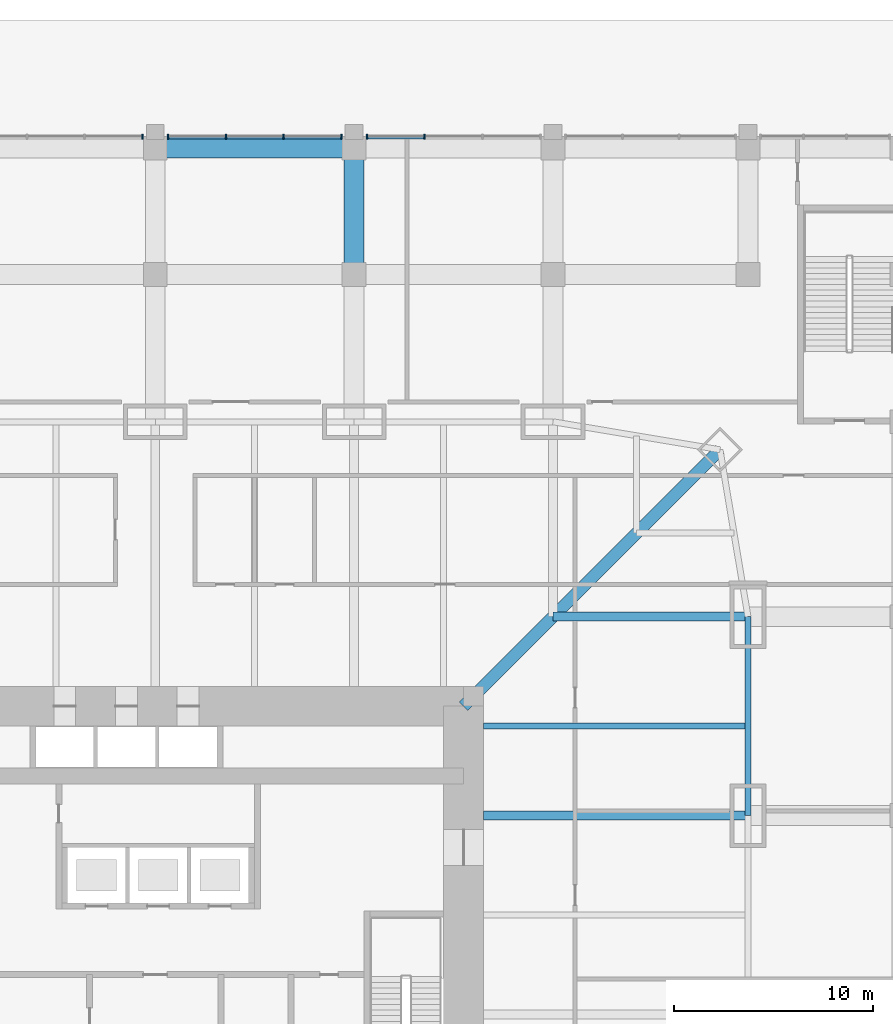
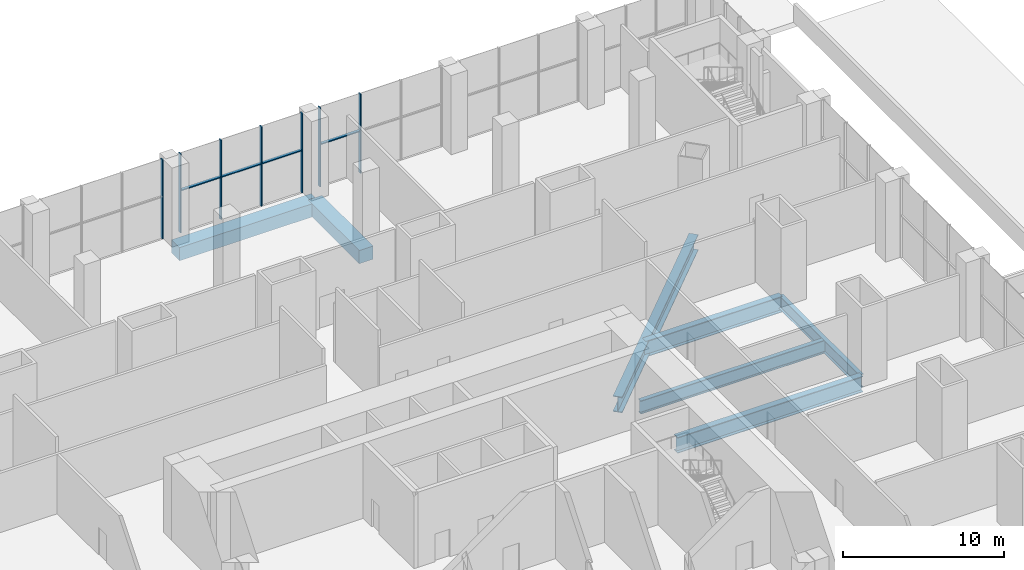
# One storey, part 14 of 31: 11 members, 7 beams, 3 elements without a shape of their own.
"""IFC4 building model written with IfcOpenShell, lengths in metres."""

import ifcopenshell
import ifcopenshell.guid

model = None  # the IFC model being written
_history = None  # IfcOwnerHistory: only IFC2X3 demands one
_inside = {}  # id of a spatial element -> (the spatial element, [elements in it])
_under = {}  # id of a project, library or spatial element -> (it, [spatial elements below it])
_declared = {}  # id of a project -> (the project, [libraries it declares])
_typed = {}  # id of a type object -> (the type object, [elements of that type])
_made_of = {}  # id of a material, layer set ... -> (it, [elements and type objects made of it])


def new_model(schema):
    """Start an empty IFC model of exactly this schema.

    Asked for "IFC4X3", IfcOpenShell would pick the latest addendum, in which some entities
    have other attributes; the version numbers below select the first issue.
    IFC2X3 requires an IfcOwnerHistory on every rooted entity: one is made here for all.
    """
    global model, _history
    if schema == "IFC4X3":
        model = ifcopenshell.file(schema_version=(4, 3, 0, 0))
    else:
        model = ifcopenshell.file(schema=schema)
    _inside.clear()
    _under.clear()
    _declared.clear()
    _typed.clear()
    _made_of.clear()
    _history = None
    if model.schema == "IFC2X3":
        org = make("IfcOrganization", Name="unknown")
        user = make(
            "IfcPersonAndOrganization",
            ThePerson=make("IfcPerson", FamilyName="unknown"),
            TheOrganization=org,
        )
        app = make(
            "IfcApplication",
            ApplicationDeveloper=org,
            Version="unknown",
            ApplicationFullName="unknown",
            ApplicationIdentifier="unknown",
        )
        _history = make(
            "IfcOwnerHistory",
            OwningUser=user,
            OwningApplication=app,
            ChangeAction="ADDED",
            CreationDate=0,
        )
    return model


def make(cls, **values):
    """One entity of the class cls with the attributes given. An attribute that is None is left unset."""
    return model.create_entity(
        cls, **{name: value for name, value in values.items() if value is not None}
    )


def rooted(cls, **values):
    """An entity with a GlobalId (a new one), such as an element, a storey or a relation."""
    return make(cls, GlobalId=ifcopenshell.guid.new(), OwnerHistory=_history, **values)


def si_unit(unit_type, name, prefix=None):
    """IfcSIUnit, for example si_unit("LENGTHUNIT", "METRE", prefix="MILLI")."""
    return make("IfcSIUnit", UnitType=unit_type, Prefix=prefix, Name=name)


def assignment(units):
    """IfcUnitAssignment: the units of a project."""
    return None if units is None else make("IfcUnitAssignment", Units=units)


def point(xyz):
    """IfcCartesianPoint."""
    return None if xyz is None else make("IfcCartesianPoint", Coordinates=xyz)


def direction(xyz):
    """IfcDirection."""
    return None if xyz is None else make("IfcDirection", DirectionRatios=xyz)


def frame(location, z_axis=None, x_axis=None):
    """IfcAxis2Placement3D, a coordinate frame: its origin and axes. An axis left out is left unset."""
    return make(
        "IfcAxis2Placement3D",
        Location=point(location),
        Axis=direction(z_axis),
        RefDirection=direction(x_axis),
    )


def frame_2d(location, x_axis=None):
    """IfcAxis2Placement2D, a coordinate frame in the plane: its origin and x axis."""
    return make(
        "IfcAxis2Placement2D", Location=point(location), RefDirection=direction(x_axis)
    )


def origin():
    """The frame at (0, 0, 0) with its axes left unset."""
    return frame((0.0, 0.0, 0.0))


def origin_2d():
    """The frame at (0, 0) in the plane with its x axis left unset."""
    return frame_2d((0.0, 0.0))


def place(relative_to, where):
    """IfcLocalPlacement: puts the frame where relative to a parent placement (None: the world)."""
    return make(
        "IfcLocalPlacement", PlacementRelTo=relative_to, RelativePlacement=where
    )


def context(
    kind, dimensions, precision=None, world=None, true_north=None, identifier=None
):
    """IfcGeometricRepresentationContext, for example the 3D "Model" context."""
    return make(
        "IfcGeometricRepresentationContext",
        ContextIdentifier=identifier,
        ContextType=kind,
        CoordinateSpaceDimension=dimensions,
        Precision=precision,
        WorldCoordinateSystem=world,
        TrueNorth=true_north,
    )


def subcontext(parent, identifier, kind, view, scale=None):
    """IfcGeometricRepresentationSubContext, for example "Body" below "Model"."""
    return make(
        "IfcGeometricRepresentationSubContext",
        ContextIdentifier=identifier,
        ContextType=kind,
        ParentContext=parent,
        TargetScale=scale,
        TargetView=view,
    )


def project(units=None, contexts=None):
    """IfcProject with its units and contexts."""
    return rooted(
        "IfcProject",
        Name="project",
        RepresentationContexts=contexts,
        UnitsInContext=assignment(units),
    )


def spatial(cls, under=None, at=None, **own):
    """A site, building, storey or space (cls), placed at a placement, below another one or the project."""
    s = rooted(cls, ObjectPlacement=at, **own)
    if under is not None:
        _under.setdefault(under.id(), (under, []))[1].append(s)
    return s


def profile(cls, at=None, kind="AREA", **sizes):
    """A parametric profile (cls). Its sizes go by their IFC names, for example OverallWidth=200.0."""
    return make(cls, ProfileType=kind, Position=at, **sizes)


def rectangle(**sizes):
    """IfcRectangleProfileDef."""
    return profile("IfcRectangleProfileDef", **sizes)


def i_section(**sizes):
    """IfcIShapeProfileDef."""
    return profile("IfcIShapeProfileDef", **sizes)


def extrude(swept, where, along, depth):
    """IfcExtrudedAreaSolid: the profile swept, set in the frame where, extruded along a direction by depth."""
    return make(
        "IfcExtrudedAreaSolid",
        SweptArea=swept,
        Position=where,
        ExtrudedDirection=direction(along),
        Depth=depth,
    )


def shape(context_of_items, identifier, shape_type, items):
    """IfcShapeRepresentation: the items that make up one representation, for example the "Body"."""
    return make(
        "IfcShapeRepresentation",
        ContextOfItems=context_of_items,
        RepresentationIdentifier=identifier,
        RepresentationType=shape_type,
        Items=items,
    )


def material(Name=None, Category=None):
    """IfcMaterial."""
    return make("IfcMaterial", Name=Name, Category=Category)


def material_profile(
    of_material, cross_section, Name=None, Category=None, Priority=None
):
    """IfcMaterialProfile: a cross section and its material."""
    return make(
        "IfcMaterialProfile",
        Name=Name,
        Material=of_material,
        Profile=cross_section,
        Priority=Priority,
        Category=Category,
    )


def profile_set(profiles, Name=None, composite=None):
    """IfcMaterialProfileSet."""
    return make(
        "IfcMaterialProfileSet",
        Name=Name,
        MaterialProfiles=profiles,
        CompositeProfile=composite,
    )


def made_of(thing, what):
    """Note that an element or type object is made of a material, layer set ...; save() writes the relation."""
    if what is not None:
        _made_of.setdefault(what.id(), (what, []))[1].append(thing)
    return thing


def type_object(cls, material=None, **own):
    """A type object (cls), such as IfcWallType, which elements share."""
    return made_of(rooted(cls, **own), material)


def element(
    cls,
    number,
    at=None,
    inside=None,
    cuts=None,
    type_object=None,
    material=None,
    context=None,
    identifier="Body",
    shape_type=None,
    held_by="IfcProductDefinitionShape",
    body=None,
    shapes=None,
    **own,
):
    """One element of the class cls, such as IfcWall. Its Tag is "e" and its number.

    at: its placement. inside: the storey or other place that contains it. cuts: it is an
    opening in that element (IfcRelVoidsElement). A single representation is given by context,
    identifier, shape_type and body (its items); several are given by shapes. held_by: the class
    of the entity that holds the representations. save() writes the other relations.
    """
    e = rooted(cls, Tag="e%d" % number, ObjectPlacement=at, **own)
    if body is not None:
        shapes = [shape(context, identifier, shape_type, body)]
    if shapes is not None:
        e.Representation = make(held_by, Representations=shapes)
    if inside is not None:
        _inside.setdefault(inside.id(), (inside, []))[1].append(e)
    if cuts is not None:
        rooted(
            "IfcRelVoidsElement", RelatingBuildingElement=cuts, RelatedOpeningElement=e
        )
    if type_object is not None:
        _typed.setdefault(type_object.id(), (type_object, []))[1].append(e)
    return made_of(e, material)


def aggregate(whole, parts):
    """IfcRelAggregates: a whole, such as a stair, and the parts it consists of."""
    return rooted("IfcRelAggregates", RelatingObject=whole, RelatedObjects=parts)


def save(model, path):
    """Write the relations noted so far, then the file.

    IfcRelAggregates (storeys below a building ...), IfcRelContainedInSpatialStructure (elements
    in a storey), IfcRelDefinesByType, IfcRelAssociatesMaterial and IfcRelDeclares: one each for
    every whole, place, type object, material and project.
    """
    for whole, parts in _under.values():
        aggregate(whole, parts)
    for where, things in _inside.values():
        rooted(
            "IfcRelContainedInSpatialStructure",
            RelatedElements=things,
            RelatingStructure=where,
        )
    for kind, things in _typed.values():
        rooted("IfcRelDefinesByType", RelatedObjects=things, RelatingType=kind)
    for what, things in _made_of.values():
        rooted("IfcRelAssociatesMaterial", RelatedObjects=things, RelatingMaterial=what)
    for by, libraries in _declared.values():
        rooted("IfcRelDeclares", RelatingContext=by, RelatedDefinitions=libraries)
    model.write(path)


model = new_model("IFC4")

# Units and contexts
model_context = context("Model", 3, precision=1e-05, world=origin(), true_north=direction((0.0, 1.0)))
body_context = subcontext(model_context, "Body", "Model", "MODEL_VIEW")
ifc_project = project(units=[si_unit("LENGTHUNIT", "METRE"), si_unit("AREAUNIT", "SQUARE_METRE"), si_unit("VOLUMEUNIT", "CUBIC_METRE"), si_unit("PLANEANGLEUNIT", "RADIAN"), si_unit("MASSUNIT", "GRAM", prefix="KILO")], contexts=[model_context])

# Site, building, storey
site_placement = place(None, origin())
site = spatial("IfcSite", under=ifc_project, at=site_placement, CompositionType="ELEMENT")
building_placement = place(site_placement, origin())
building = spatial("IfcBuilding", under=site, at=building_placement, Name="Khuree Lantern Residences", CompositionType="ELEMENT")
storey_placement = place(building_placement, origin())
storey = spatial("IfcBuildingStorey", under=building, at=storey_placement, Name="L00", CompositionType="ELEMENT", Elevation=0.0)

# Beams
ifc_material_1 = material(Name="Steel S355", Category="steel")
ifc_material_profile_1 = material_profile(ifc_material_1, i_section(OverallWidth=0.300048828125, OverallDepth=1.0, WebThickness=0.01904296875, FlangeThickness=0.035888671875, FilletRadius=0.030029296875, at=origin_2d()), Name="HE 1000 B")
ifc_profile_set_1 = profile_set([ifc_material_profile_1], Name="Steel S355")
beam_type_1 = type_object("IfcBeamType", Name="B-00 SECONDARY BEAM HE 1000 B", PredefinedType="BEAM", material=ifc_profile_set_1)
beam_1_placement = place(storey_placement, frame((29.800048828125, 14.5, -0.800048828125), z_axis=(-1.0, 0.0, 0.0), x_axis=(0.0, -1.0, 0.0)))
element("IfcBeam", 1, at=beam_1_placement, inside=storey, type_object=beam_type_1, Name="Secondary beam E2", PredefinedType="BEAM", context=body_context, shape_type="SweptSolid", body=[
    extrude(i_section(OverallWidth=0.300048828125, OverallDepth=1.0, WebThickness=0.01904296875, FlangeThickness=0.035888671875, FilletRadius=0.030029296875, at=origin_2d()), origin(), (0.0, 0.0, 1.0), 13.300048828125),
])
ifc_material_profile_2 = material_profile(ifc_material_1, i_section(OverallWidth=0.300048828125, OverallDepth=1.0, WebThickness=0.01904296875, FlangeThickness=0.035888671875, FilletRadius=0.030029296875, at=origin_2d()), Name="HE 1000 B")
ifc_profile_set_2 = profile_set([ifc_material_profile_2], Name="Steel S355")
beam_type_2 = type_object("IfcBeamType", Name="E-00 SPANDREL BEAM HE 1000 B", PredefinedType="SPANDREL", material=ifc_profile_set_2)
beam_2_placement = place(storey_placement, frame((29.800048828125, 20.0, -0.800048828125), z_axis=(0.0, -1.0, 0.0), x_axis=(1.0, 0.0, 0.0)))
element("IfcBeam", 2, at=beam_2_placement, inside=storey, type_object=beam_type_2, Name="Spandrel beam E2", PredefinedType="SPANDREL", context=body_context, shape_type="SweptSolid", body=[
    extrude(i_section(OverallWidth=0.300048828125, OverallDepth=1.0, WebThickness=0.01904296875, FlangeThickness=0.035888671875, FilletRadius=0.030029296875, at=origin_2d()), origin(), (0.0, 0.0, 1.0), 10.0),
])
ifc_material_profile_3 = material_profile(ifc_material_1, i_section(OverallWidth=0.449951171875, OverallDepth=1.199951171875, WebThickness=0.02490234375, FlangeThickness=0.044921875, at=origin_2d()), Name="WELDED I 1200X450X25X45")
ifc_profile_set_3 = profile_set([ifc_material_profile_3], Name="Steel S355")
beam_type_3 = type_object("IfcBeamType", Name="G-00 GIRDER WELDED I 1200X450X25X45", PredefinedType="BEAM", material=ifc_profile_set_3)
beam_3_placement = place(storey_placement, frame((29.800048828125, 20.0, -0.89990234375), z_axis=(-1.0, 0.0, 0.0), x_axis=(0.0, -1.0, 0.0)))
element("IfcBeam", 3, at=beam_3_placement, inside=storey, type_object=beam_type_3, Name="Girder E1", PredefinedType="BEAM", context=body_context, shape_type="SweptSolid", body=[
    extrude(i_section(OverallWidth=0.449951171875, OverallDepth=1.199951171875, WebThickness=0.02490234375, FlangeThickness=0.044921875, at=origin_2d()), origin(), (0.0, 0.0, 1.0), 9.800048828125),
])
beam_4_placement = place(storey_placement, frame((29.800048828125, 10.0, -0.89990234375), z_axis=(-1.0, 0.0, 0.0), x_axis=(0.0, -1.0, 0.0)))
element("IfcBeam", 4, at=beam_4_placement, inside=storey, type_object=beam_type_3, Name="Girder E2", PredefinedType="BEAM", context=body_context, shape_type="SweptSolid", body=[
    extrude(i_section(OverallWidth=0.449951171875, OverallDepth=1.199951171875, WebThickness=0.02490234375, FlangeThickness=0.044921875, at=origin_2d()), origin(), (0.0, 0.0, 1.0), 13.300048828125),
])
ifc_material_profile_4 = material_profile(ifc_material_1, i_section(OverallWidth=0.60009765625, OverallDepth=1.199951171875, WebThickness=0.030029296875, FlangeThickness=0.06005859375, at=origin_2d()), Name="WELDED I 1200X600X30X60")
ifc_profile_set_4 = profile_set([ifc_material_profile_4], Name="Steel S355")
beam_type_4 = type_object("IfcBeamType", Name="GD-00 CORNER GIRDER WELDED I 1200X600X30X60", PredefinedType="BEAM", material=ifc_profile_set_4)
beam_5_placement = place(storey_placement, frame((28.39404296875, 28.39404296875, -0.89990234375), z_axis=(-0.707106781187, -0.707106781187, 0.0), x_axis=(0.707106781187, -0.707106781187, 0.0)))
element("IfcBeam", 5, at=beam_5_placement, inside=storey, type_object=beam_type_4, Name="Corner girder NE", PredefinedType="BEAM", context=body_context, shape_type="SweptSolid", body=[
    extrude(i_section(OverallWidth=0.60009765625, OverallDepth=1.199951171875, WebThickness=0.030029296875, FlangeThickness=0.06005859375, at=origin_2d()), origin(), (0.0, 0.0, 1.0), 18.23486328125),
])

# Curtain wall, members
ifc_material_2 = material(Name="Bronze anodised aluminium", Category="aluminium")
curtain_wall_type = type_object("IfcCurtainWallType", Name="CW-P PODIUM STOREFRONT CURTAIN WALL", PredefinedType="USERDEFINED", material=ifc_material_2)
curtain_wall_1_placement = place(storey_placement, origin())
curtain_wall_1 = element("IfcCurtainWall", 6, at=curtain_wall_1_placement, inside=storey, type_object=curtain_wall_type, Name="L00 NORTH FACE BAY 3 STOREFRONT", ObjectType="Storefront curtain wall", PredefinedType="USERDEFINED")
ifc_material_profile_5 = material_profile(ifc_material_2, rectangle(XDim=0.074951171875, YDim=0.25, at=origin_2d()), Name="M5 75X250")
ifc_profile_set_5 = profile_set([ifc_material_profile_5], Name="Bronze anodised aluminium")
member_type_1 = type_object("IfcMemberType", Name="MULLION M5 STOREFRONT 75X250", PredefinedType="MULLION", material=ifc_profile_set_5)
member_1_placement = place(storey_placement, frame((13.5458984375, 44.125, 0.0), z_axis=(0.0, 0.0, 1.0), x_axis=(-1.0, 0.0, 0.0)))
member_1 = element("IfcMember", 7, at=member_1_placement, type_object=member_type_1, Name="L00 NORTH FACE BAY 3 MULLION 3", PredefinedType="MULLION", context=body_context, shape_type="SweptSolid", body=[
    extrude(rectangle(XDim=0.074951171875, YDim=0.25, at=origin_2d()), origin(), (0.0, 0.0, 1.0), 6.0),
])
member_2_placement = place(storey_placement, frame((10.637451171875, 44.125, 0.0), z_axis=(0.0, 0.0, 1.0), x_axis=(-1.0, 0.0, 0.0)))
member_2 = element("IfcMember", 8, at=member_2_placement, type_object=member_type_1, Name="L00 NORTH FACE BAY 3 MULLION 4", PredefinedType="MULLION", context=body_context, shape_type="SweptSolid", body=[
    extrude(rectangle(XDim=0.074951171875, YDim=0.25, at=origin_2d()), origin(), (0.0, 0.0, 1.0), 6.0),
])

curtain_wall_2_placement = place(storey_placement, origin())
curtain_wall_2 = element("IfcCurtainWall", 9, at=curtain_wall_2_placement, inside=storey, type_object=curtain_wall_type, Name="L00 NORTH FACE BAY 4 STOREFRONT", ObjectType="Storefront curtain wall", PredefinedType="USERDEFINED")
member_3_placement = place(storey_placement, frame((9.362548828125, 44.125, 0.0), z_axis=(0.0, 0.0, 1.0), x_axis=(-1.0, 0.0, 0.0)))
member_3 = element("IfcMember", 10, at=member_3_placement, type_object=member_type_1, Name="L00 NORTH FACE BAY 4 MULLION 1", PredefinedType="MULLION", context=body_context, shape_type="SweptSolid", body=[
    extrude(rectangle(XDim=0.074951171875, YDim=0.25, at=origin_2d()), origin(), (0.0, 0.0, 1.0), 6.0),
])
member_4_placement = place(storey_placement, frame((6.4541015625, 44.125, 0.0), z_axis=(0.0, 0.0, 1.0), x_axis=(-1.0, 0.0, 0.0)))
member_4 = element("IfcMember", 11, at=member_4_placement, type_object=member_type_1, Name="L00 NORTH FACE BAY 4 MULLION 2", PredefinedType="MULLION", context=body_context, shape_type="SweptSolid", body=[
    extrude(rectangle(XDim=0.074951171875, YDim=0.25, at=origin_2d()), origin(), (0.0, 0.0, 1.0), 6.0),
])
member_5_placement = place(storey_placement, frame((3.5458984375, 44.125, 0.0), z_axis=(0.0, 0.0, 1.0), x_axis=(-1.0, 0.0, 0.0)))
member_5 = element("IfcMember", 12, at=member_5_placement, type_object=member_type_1, Name="L00 NORTH FACE BAY 4 MULLION 3", PredefinedType="MULLION", context=body_context, shape_type="SweptSolid", body=[
    extrude(rectangle(XDim=0.074951171875, YDim=0.25, at=origin_2d()), origin(), (0.0, 0.0, 1.0), 6.0),
])
member_6_placement = place(storey_placement, frame((0.637451171875, 44.125, 0.0), z_axis=(0.0, 0.0, 1.0), x_axis=(-1.0, 0.0, 0.0)))
member_6 = element("IfcMember", 13, at=member_6_placement, type_object=member_type_1, Name="L00 NORTH FACE BAY 4 MULLION 4", PredefinedType="MULLION", context=body_context, shape_type="SweptSolid", body=[
    extrude(rectangle(XDim=0.074951171875, YDim=0.25, at=origin_2d()), origin(), (0.0, 0.0, 1.0), 6.0),
])

# Curtain wall, member
curtain_wall_3_placement = place(storey_placement, origin())
curtain_wall_3 = element("IfcCurtainWall", 14, at=curtain_wall_3_placement, inside=storey, type_object=curtain_wall_type, Name="L00 NORTH FACE BAY 5 STOREFRONT", ObjectType="Storefront curtain wall", PredefinedType="USERDEFINED")
member_7_placement = place(storey_placement, frame((-0.637451171875, 44.125, 0.0), z_axis=(0.0, 0.0, 1.0), x_axis=(-1.0, 0.0, 0.0)))
member_7 = element("IfcMember", 15, at=member_7_placement, type_object=member_type_1, Name="L00 NORTH FACE BAY 5 MULLION 1", PredefinedType="MULLION", context=body_context, shape_type="SweptSolid", body=[
    extrude(rectangle(XDim=0.074951171875, YDim=0.25, at=origin_2d()), origin(), (0.0, 0.0, 1.0), 6.0),
])
aggregate(curtain_wall_3, [member_7])

# Beams
ifc_material_3 = material(Name="Concrete C40/50", Category="concrete")
ifc_material_profile_6 = material_profile(ifc_material_3, rectangle(XDim=1.0, YDim=1.0, at=origin_2d()), Name="RC 1000X1000")
ifc_profile_set_6 = profile_set([ifc_material_profile_6], Name="Concrete C40/50")
beam_type_5 = type_object("IfcBeamType", Name="RB3 PODIUM BEAM RC 1000X1000", PredefinedType="BEAM", material=ifc_profile_set_6)
beam_6_placement = place(storey_placement, frame((0.0, 43.550048828125, -0.800048828125), z_axis=(1.0, 0.0, 0.0), x_axis=(0.0, 1.0, 0.0)))
element("IfcBeam", 16, at=beam_6_placement, inside=storey, type_object=beam_type_5, Name="Podium beam RB-49", PredefinedType="BEAM", context=body_context, shape_type="SweptSolid", body=[
    extrude(rectangle(XDim=1.0, YDim=1.0, at=origin_2d()), origin(), (0.0, 0.0, 1.0), 10.0),
])
beam_7_placement = place(storey_placement, frame((10.0, 37.199951171875, -0.800048828125), z_axis=(0.0, 1.0, 0.0), x_axis=(-1.0, 0.0, 0.0)))
element("IfcBeam", 17, at=beam_7_placement, inside=storey, type_object=beam_type_5, Name="Podium beam RB-90", PredefinedType="BEAM", context=body_context, shape_type="SweptSolid", body=[
    extrude(rectangle(XDim=1.0, YDim=1.0, at=origin_2d()), origin(), (0.0, 0.0, 1.0), 6.35009765625),
])

# Member
ifc_material_profile_7 = material_profile(ifc_material_2, rectangle(XDim=0.199951171875, YDim=0.074951171875, at=origin_2d()), Name="T5 200X75")
ifc_profile_set_7 = profile_set([ifc_material_profile_7], Name="Bronze anodised aluminium")
member_type_2 = type_object("IfcMemberType", Name="TRANSOM T5 STOREFRONT 200X75", PredefinedType="USERDEFINED", material=ifc_profile_set_7)
member_8_placement = place(storey_placement, frame((13.50830078125, 44.1201171875, 3.199951171875), z_axis=(-1.0, 0.0, 0.0), x_axis=(0.0, -1.0, 0.0)))
member_8 = element("IfcMember", 18, at=member_8_placement, type_object=member_type_2, Name="L00 NORTH FACE BAY 3 TRANSOM 3", ObjectType="Transom", PredefinedType="USERDEFINED", context=body_context, shape_type="SweptSolid", body=[
    extrude(rectangle(XDim=0.199951171875, YDim=0.074951171875, at=origin_2d()), origin(), (0.0, 0.0, 1.0), 2.833251953125),
])

aggregate(curtain_wall_1, [member_1, member_2, member_8])

member_9_placement = place(storey_placement, frame((9.324951171875, 44.1201171875, 3.199951171875), z_axis=(-1.0, 0.0, 0.0), x_axis=(0.0, -1.0, 0.0)))
member_9 = element("IfcMember", 19, at=member_9_placement, type_object=member_type_2, Name="L00 NORTH FACE BAY 4 TRANSOM 1", ObjectType="Transom", PredefinedType="USERDEFINED", context=body_context, shape_type="SweptSolid", body=[
    extrude(rectangle(XDim=0.199951171875, YDim=0.074951171875, at=origin_2d()), origin(), (0.0, 0.0, 1.0), 2.833251953125),
])

member_10_placement = place(storey_placement, frame((6.416748046875, 44.1201171875, 3.199951171875), z_axis=(-1.0, 0.0, 0.0), x_axis=(0.0, -1.0, 0.0)))
member_10 = element("IfcMember", 20, at=member_10_placement, type_object=member_type_2, Name="L00 NORTH FACE BAY 4 TRANSOM 2", ObjectType="Transom", PredefinedType="USERDEFINED", context=body_context, shape_type="SweptSolid", body=[
    extrude(rectangle(XDim=0.199951171875, YDim=0.074951171875, at=origin_2d()), origin(), (0.0, 0.0, 1.0), 2.83349609375),
])

member_11_placement = place(storey_placement, frame((3.50830078125, 44.1201171875, 3.199951171875), z_axis=(-1.0, 0.0, 0.0), x_axis=(0.0, -1.0, 0.0)))
member_11 = element("IfcMember", 21, at=member_11_placement, type_object=member_type_2, Name="L00 NORTH FACE BAY 4 TRANSOM 3", ObjectType="Transom", PredefinedType="USERDEFINED", context=body_context, shape_type="SweptSolid", body=[
    extrude(rectangle(XDim=0.199951171875, YDim=0.074951171875, at=origin_2d()), origin(), (0.0, 0.0, 1.0), 2.833251953125),
])

aggregate(curtain_wall_2, [member_3, member_4, member_5, member_6, member_9, member_10, member_11])

save(model, "model.ifc")
